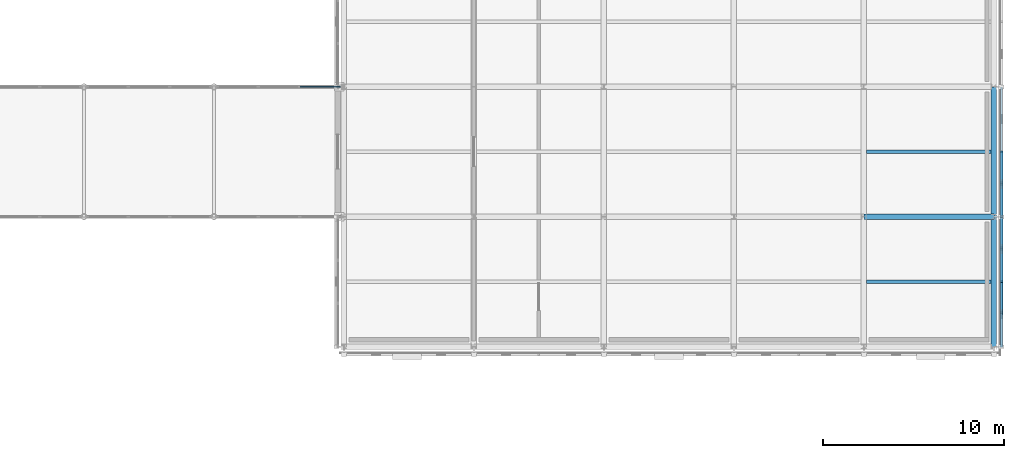
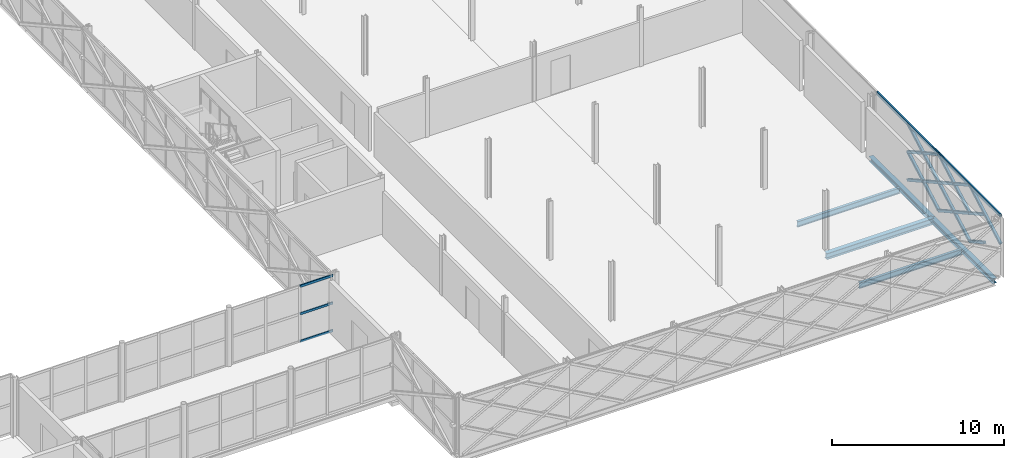
# One storey, part 69 of 146: 20 members, 5 beams, 1 element without a shape of its own.
"""IFC4 building model written with IfcOpenShell, lengths in metres."""

from ifc_helpers import new_model, si_unit, direction, frame, origin, origin_2d, place, context, subcontext, project, spatial, rectangle, hollow_rectangle, i_section, extrude, material, material_profile, profile_set, type_object, element, aggregate, save


model = new_model("IFC4")

# Units and contexts
model_context = context("Model", 3, precision=1e-05, world=origin(), true_north=direction((0.0, 1.0)))
body_context = subcontext(model_context, "Body", "Model", "MODEL_VIEW")
ifc_project = project(units=[si_unit("LENGTHUNIT", "METRE"), si_unit("AREAUNIT", "SQUARE_METRE"), si_unit("VOLUMEUNIT", "CUBIC_METRE"), si_unit("PLANEANGLEUNIT", "RADIAN"), si_unit("MASSUNIT", "GRAM", prefix="KILO")], contexts=[model_context])

# Site, building, storey
site_placement = place(None, origin())
site = spatial("IfcSite", under=ifc_project, at=site_placement, CompositionType="ELEMENT")
building_placement = place(site_placement, origin())
building = spatial("IfcBuilding", under=site, at=building_placement, Name="Zlatovets Crest Museum", CompositionType="ELEMENT")
storey_placement = place(building_placement, frame((0.0, 0.0, 4.5)))
storey = spatial("IfcBuildingStorey", under=building, at=storey_placement, Name="L01", CompositionType="ELEMENT", Elevation=4.5)

# Beams
ifc_material_1 = material(Name="Structural steel S355J2", Category="steel")
ifc_material_profile_1 = material_profile(ifc_material_1, i_section(OverallWidth=0.300048828125, OverallDepth=0.35009765625, WebThickness=0.010009765625, FlangeThickness=0.017578125, FilletRadius=0.027099609375, at=origin_2d()), Name="HEA 360")
ifc_profile_set_1 = profile_set([ifc_material_profile_1], Name="Structural steel S355J2")
beam_type_1 = type_object("IfcBeamType", Name="Beam_B-03", PredefinedType="BEAM", material=ifc_profile_set_1)
beam_1_placement = place(storey_placement, frame((165.60009765625, 14.39990234375, -0.39501953125), z_axis=(0.0, 1.0, 0.0), x_axis=(-1.0, 0.0, 0.0)))
element("IfcBeam", 1, at=beam_1_placement, inside=storey, type_object=beam_type_1, Name="V5 L01 Grid Beam B-03", PredefinedType="BEAM", context=body_context, shape_type="SweptSolid", body=[
    extrude(i_section(OverallWidth=0.300048828125, OverallDepth=0.35009765625, WebThickness=0.010009765625, FlangeThickness=0.017578125, FilletRadius=0.027099609375, at=origin_2d()), origin(), (0.0, 0.0, 1.0), 7.2001953125),
])
beam_2_placement = place(storey_placement, frame((165.60009765625, 21.60009765625, -0.39501953125), z_axis=(0.0, 1.0, 0.0), x_axis=(-1.0, 0.0, 0.0)))
element("IfcBeam", 2, at=beam_2_placement, inside=storey, type_object=beam_type_1, Name="V5 L01 Grid Beam B-03", PredefinedType="BEAM", context=body_context, shape_type="SweptSolid", body=[
    extrude(i_section(OverallWidth=0.300048828125, OverallDepth=0.35009765625, WebThickness=0.010009765625, FlangeThickness=0.017578125, FilletRadius=0.027099609375, at=origin_2d()), origin(), (0.0, 0.0, 1.0), 7.199951171875),
])
ifc_material_profile_2 = material_profile(ifc_material_1, i_section(OverallWidth=0.300048828125, OverallDepth=0.43994140625, WebThickness=0.011474609375, FlangeThickness=0.02099609375, FilletRadius=0.027099609375, at=origin_2d()), Name="HEA 450")
ifc_profile_set_2 = profile_set([ifc_material_profile_2], Name="Structural steel S355J2")
beam_type_2 = type_object("IfcBeamType", Name="Beam_B-10", PredefinedType="BEAM", material=ifc_profile_set_2)
beam_3_placement = place(storey_placement, frame((158.39990234375, 21.60009765625, -0.43994140625), z_axis=(1.0, 0.0, 0.0), x_axis=(0.0, 1.0, 0.0)))
element("IfcBeam", 3, at=beam_3_placement, inside=storey, type_object=beam_type_2, Name="V5 L01 Primary Girder B-10", PredefinedType="BEAM", context=body_context, shape_type="SweptSolid", body=[
    extrude(i_section(OverallWidth=0.300048828125, OverallDepth=0.43994140625, WebThickness=0.011474609375, FlangeThickness=0.02099609375, FilletRadius=0.027099609375, at=origin_2d()), origin(), (0.0, 0.0, 1.0), 7.2001953125),
])
ifc_material_profile_3 = material_profile(ifc_material_1, i_section(OverallWidth=0.179931640625, OverallDepth=0.39990234375, WebThickness=0.008544921875, FlangeThickness=0.013427734375, FilletRadius=0.02099609375, at=origin_2d()), Name="IPE 400")
ifc_profile_set_3 = profile_set([ifc_material_profile_3], Name="Structural steel S355J2")
beam_type_3 = type_object("IfcBeamType", Name="Beam_J-04", PredefinedType="JOIST", material=ifc_profile_set_3)
for number, where, z_axis, x_axis, name in (
    (4, (158.550048828125, 18.0, -0.419921875), (1.0, 0.0, 0.0), (0.0, 1.0, 0.0), "V5 L01 Composite Joist J-04"),
    (5, (158.550048828125, 25.199951171875, -0.419921875), (1.0, 0.0, 0.0), (0.0, 1.0, 0.0), "V5 L01 Composite Joist J-04"),
):
    element("IfcBeam", number, at=place(storey_placement, frame(where, z_axis=z_axis, x_axis=x_axis)), inside=storey, type_object=beam_type_3, Name=name, PredefinedType="JOIST", context=body_context, shape_type="SweptSolid", body=[
        extrude(i_section(OverallWidth=0.179931640625, OverallDepth=0.39990234375, WebThickness=0.008544921875, FlangeThickness=0.013427734375, FilletRadius=0.02099609375, at=origin_2d()), origin(), (0.0, 0.0, 1.0), 6.89990234375),
    ])

# Curtain wall, members
ifc_material_2 = material(Name="Bronze-anodised aluminium and low-E triple glass", Category="aluminium")
curtain_wall_type = type_object("IfcCurtainWallType", Name="CW_CW-BR4-L01-S69", PredefinedType="NOTDEFINED", material=ifc_material_2)
curtain_wall_placement = place(storey_placement, origin())
curtain_wall = element("IfcCurtainWall", 6, at=curtain_wall_placement, inside=storey, type_object=curtain_wall_type, Name="Southeast Archive Glazed Link Bridge L01 Glazed Bridge Curtain Wall", PredefinedType="NOTDEFINED")
ifc_material_3 = material(Name="Bronze-anodised aluminium EN AW-6060", Category="aluminium")
ifc_material_profile_4 = material_profile(ifc_material_3, rectangle(XDim=0.080078125, YDim=0.159912109375, at=origin_2d()), Name="ALU 80x160")
ifc_profile_set_4 = profile_set([ifc_material_profile_4], Name="Bronze-anodised aluminium EN AW-6060")
member_type_1 = type_object("IfcMemberType", Name="CWTrans_T1", PredefinedType="USERDEFINED", material=ifc_profile_set_4)
member_1_placement = place(storey_placement, frame((127.179931640625, 28.800048828125, 0.030029296875), z_axis=(1.0, 0.0, 0.0), x_axis=(0.0, 1.0, 0.0)))
member_1 = element("IfcMember", 7, at=member_1_placement, type_object=member_type_1, Name="CW-BR4-L01-S69 transom 3.1", ObjectType="TRANSOM", PredefinedType="USERDEFINED", context=body_context, shape_type="SweptSolid", body=[
    extrude(rectangle(XDim=0.080078125, YDim=0.159912109375, at=origin_2d()), origin(), (0.0, 0.0, 1.0), 2.2099609375),
])
member_2_placement = place(storey_placement, frame((127.179931640625, 28.800048828125, 1.989990234375), z_axis=(1.0, 0.0, 0.0), x_axis=(0.0, 1.0, 0.0)))
member_2 = element("IfcMember", 8, at=member_2_placement, type_object=member_type_1, Name="CW-BR4-L01-S69 transom 3.2", ObjectType="TRANSOM", PredefinedType="USERDEFINED", context=body_context, shape_type="SweptSolid", body=[
    extrude(rectangle(XDim=0.080078125, YDim=0.159912109375, at=origin_2d()), origin(), (0.0, 0.0, 1.0), 2.2099609375),
])
member_3_placement = place(storey_placement, frame((127.179931640625, 28.800048828125, 3.949951171875), z_axis=(1.0, 0.0, 0.0), x_axis=(0.0, 1.0, 0.0)))
member_3 = element("IfcMember", 9, at=member_3_placement, type_object=member_type_1, Name="CW-BR4-L01-S69 transom 3.3", ObjectType="TRANSOM", PredefinedType="USERDEFINED", context=body_context, shape_type="SweptSolid", body=[
    extrude(rectangle(XDim=0.080078125, YDim=0.159912109375, at=origin_2d()), origin(), (0.0, 0.0, 1.0), 2.2099609375),
])
aggregate(curtain_wall, [member_1, member_2, member_3])

# Members
ifc_material_4 = material(Name="Weathering bronze-steel S355J2W", Category="steel")
ifc_material_profile_5 = material_profile(ifc_material_4, hollow_rectangle(XDim=0.179931640625, YDim=0.179931640625, WallThickness=0.010009765625, InnerFilletRadius=0.010009765625, OuterFilletRadius=0.02001953125, at=origin_2d()), Name="SHS 180x180x10.0")
ifc_profile_set_5 = profile_set([ifc_material_profile_5], Name="Weathering bronze-steel S355J2W")
member_type_2 = type_object("IfcMemberType", Name="Lattice_XL-01", PredefinedType="BRACE", material=ifc_profile_set_5)
member_4_placement = place(storey_placement, frame((166.02001953125, 16.282958984375, 1.053955078125), z_axis=(0.0, 0.874169001841, -0.485621824284), x_axis=(-1.0, 0.0, 0.0)))
element("IfcMember", 10, at=member_4_placement, inside=storey, type_object=member_type_2, Name="Split Crossing Bronze Lattice Diagonal Lower", PredefinedType="BRACE", context=body_context, shape_type="SweptSolid", body=[
    extrude(hollow_rectangle(XDim=0.179931640625, YDim=0.179931640625, WallThickness=0.010009765625, InnerFilletRadius=0.010009765625, OuterFilletRadius=0.02001953125, at=origin_2d()), origin(), (0.0, 0.0, 1.0), 1.964111328125),
])
member_5_placement = place(storey_placement, frame((166.02001953125, 18.0, 0.10009765625), z_axis=(0.0, 0.874162868644, 0.485632864501), x_axis=(-1.0, 0.0, 0.0)))
element("IfcMember", 11, at=member_5_placement, inside=storey, type_object=member_type_2, Name="Continuous Bronze Lattice Diagonal", PredefinedType="BRACE", context=body_context, shape_type="SweptSolid", body=[
    extrude(hollow_rectangle(XDim=0.179931640625, YDim=0.179931640625, WallThickness=0.010009765625, InnerFilletRadius=0.010009765625, OuterFilletRadius=0.02001953125, at=origin_2d()), origin(), (0.0, 0.0, 1.0), 4.118408203125),
])
member_6_placement = place(storey_placement, frame((166.02001953125, 18.0, 2.10009765625), z_axis=(0.0, 0.874116234569, -0.48571679862), x_axis=(-1.0, 0.0, 0.0)))
element("IfcMember", 12, at=member_6_placement, inside=storey, type_object=member_type_2, Name="Split Crossing Bronze Lattice Diagonal Upper", PredefinedType="BRACE", context=body_context, shape_type="SweptSolid", body=[
    extrude(hollow_rectangle(XDim=0.179931640625, YDim=0.179931640625, WallThickness=0.010009765625, InnerFilletRadius=0.010009765625, OuterFilletRadius=0.02001953125, at=origin_2d()), origin(), (0.0, 0.0, 1.0), 1.96435546875),
])
member_7_placement = place(storey_placement, frame((166.02001953125, 19.883056640625, 1.053955078125), z_axis=(0.0, 0.874169001841, -0.485621824284), x_axis=(-1.0, 0.0, 0.0)))
element("IfcMember", 13, at=member_7_placement, inside=storey, type_object=member_type_2, Name="Split Crossing Bronze Lattice Diagonal Lower", PredefinedType="BRACE", context=body_context, shape_type="SweptSolid", body=[
    extrude(hollow_rectangle(XDim=0.179931640625, YDim=0.179931640625, WallThickness=0.010009765625, InnerFilletRadius=0.010009765625, OuterFilletRadius=0.02001953125, at=origin_2d()), origin(), (0.0, 0.0, 1.0), 1.964111328125),
])
member_8_placement = place(storey_placement, frame((166.02001953125, 14.39990234375, 2.10009765625), z_axis=(0.0, 0.874162868644, 0.485632864501), x_axis=(-1.0, 0.0, 0.0)))
element("IfcMember", 14, at=member_8_placement, inside=storey, type_object=member_type_2, Name="Continuous Bronze Lattice Diagonal", PredefinedType="BRACE", context=body_context, shape_type="SweptSolid", body=[
    extrude(hollow_rectangle(XDim=0.179931640625, YDim=0.179931640625, WallThickness=0.010009765625, InnerFilletRadius=0.010009765625, OuterFilletRadius=0.02001953125, at=origin_2d()), origin(), (0.0, 0.0, 1.0), 4.118408203125),
])
member_9_placement = place(storey_placement, frame((166.02001953125, 16.282958984375, 3.053955078125), z_axis=(0.0, 0.874169001841, -0.485621824284), x_axis=(-1.0, 0.0, 0.0)))
element("IfcMember", 15, at=member_9_placement, inside=storey, type_object=member_type_2, Name="Split Crossing Bronze Lattice Diagonal Lower", PredefinedType="BRACE", context=body_context, shape_type="SweptSolid", body=[
    extrude(hollow_rectangle(XDim=0.179931640625, YDim=0.179931640625, WallThickness=0.010009765625, InnerFilletRadius=0.010009765625, OuterFilletRadius=0.02001953125, at=origin_2d()), origin(), (0.0, 0.0, 1.0), 1.964111328125),
])
member_10_placement = place(storey_placement, frame((166.02001953125, 18.0, 2.10009765625), z_axis=(0.0, 0.874162868644, 0.485632864501), x_axis=(-1.0, 0.0, 0.0)))
element("IfcMember", 16, at=member_10_placement, inside=storey, type_object=member_type_2, Name="Continuous Bronze Lattice Diagonal", PredefinedType="BRACE", context=body_context, shape_type="SweptSolid", body=[
    extrude(hollow_rectangle(XDim=0.179931640625, YDim=0.179931640625, WallThickness=0.010009765625, InnerFilletRadius=0.010009765625, OuterFilletRadius=0.02001953125, at=origin_2d()), origin(), (0.0, 0.0, 1.0), 4.118408203125),
])
member_11_placement = place(storey_placement, frame((166.02001953125, 18.0, 4.10009765625), z_axis=(0.0, 0.874116234569, -0.48571679862), x_axis=(-1.0, 0.0, 0.0)))
element("IfcMember", 17, at=member_11_placement, inside=storey, type_object=member_type_2, Name="Split Crossing Bronze Lattice Diagonal Upper", PredefinedType="BRACE", context=body_context, shape_type="SweptSolid", body=[
    extrude(hollow_rectangle(XDim=0.179931640625, YDim=0.179931640625, WallThickness=0.010009765625, InnerFilletRadius=0.010009765625, OuterFilletRadius=0.02001953125, at=origin_2d()), origin(), (0.0, 0.0, 1.0), 1.96435546875),
])
member_12_placement = place(storey_placement, frame((166.02001953125, 19.883056640625, 3.053955078125), z_axis=(0.0, 0.874169001841, -0.485621824284), x_axis=(-1.0, 0.0, 0.0)))
element("IfcMember", 18, at=member_12_placement, inside=storey, type_object=member_type_2, Name="Split Crossing Bronze Lattice Diagonal Lower", PredefinedType="BRACE", context=body_context, shape_type="SweptSolid", body=[
    extrude(hollow_rectangle(XDim=0.179931640625, YDim=0.179931640625, WallThickness=0.010009765625, InnerFilletRadius=0.010009765625, OuterFilletRadius=0.02001953125, at=origin_2d()), origin(), (0.0, 0.0, 1.0), 1.964111328125),
])
member_13_placement = place(storey_placement, frame((166.02001953125, 21.60009765625, 0.10009765625), z_axis=(0.0, 0.874148886685, 0.485658031857), x_axis=(-1.0, 0.0, 0.0)))
element("IfcMember", 19, at=member_13_placement, inside=storey, type_object=member_type_2, Name="Continuous Bronze Lattice Diagonal", PredefinedType="BRACE", context=body_context, shape_type="SweptSolid", body=[
    extrude(hollow_rectangle(XDim=0.179931640625, YDim=0.179931640625, WallThickness=0.010009765625, InnerFilletRadius=0.010009765625, OuterFilletRadius=0.02001953125, at=origin_2d()), origin(), (0.0, 0.0, 1.0), 4.1181640625),
])
for number, where, z_axis, x_axis, name in (
    (20, (166.02001953125, 21.60009765625, 2.10009765625), (0.0, 0.874086907708, -0.485769572713), (-1.0, 0.0, 0.0), "Split Crossing Bronze Lattice Diagonal Upper"),
    (21, (166.02001953125, 23.48291015625, 1.053955078125), (0.0, 0.874169001841, -0.485621824284), (-1.0, 0.0, 0.0), "Split Crossing Bronze Lattice Diagonal Lower"),
):
    element("IfcMember", number, at=place(storey_placement, frame(where, z_axis=z_axis, x_axis=x_axis)), inside=storey, type_object=member_type_2, Name=name, PredefinedType="BRACE", context=body_context, shape_type="SweptSolid", body=[
        extrude(hollow_rectangle(XDim=0.179931640625, YDim=0.179931640625, WallThickness=0.010009765625, InnerFilletRadius=0.010009765625, OuterFilletRadius=0.02001953125, at=origin_2d()), origin(), (0.0, 0.0, 1.0), 1.964111328125),
    ])
member_14_placement = place(storey_placement, frame((166.02001953125, 21.60009765625, 2.10009765625), z_axis=(0.0, 0.874148886685, 0.485658031857), x_axis=(-1.0, 0.0, 0.0)))
element("IfcMember", 22, at=member_14_placement, inside=storey, type_object=member_type_2, Name="Continuous Bronze Lattice Diagonal", PredefinedType="BRACE", context=body_context, shape_type="SweptSolid", body=[
    extrude(hollow_rectangle(XDim=0.179931640625, YDim=0.179931640625, WallThickness=0.010009765625, InnerFilletRadius=0.010009765625, OuterFilletRadius=0.02001953125, at=origin_2d()), origin(), (0.0, 0.0, 1.0), 4.1181640625),
])
for number, where, z_axis, x_axis, name in (
    (23, (166.02001953125, 21.60009765625, 4.10009765625), (0.0, 0.874086907708, -0.485769572713), (-1.0, 0.0, 0.0), "Split Crossing Bronze Lattice Diagonal Upper"),
    (24, (166.02001953125, 23.48291015625, 3.053955078125), (0.0, 0.874169001841, -0.485621824284), (-1.0, 0.0, 0.0), "Split Crossing Bronze Lattice Diagonal Lower"),
):
    element("IfcMember", number, at=place(storey_placement, frame(where, z_axis=z_axis, x_axis=x_axis)), inside=storey, type_object=member_type_2, Name=name, PredefinedType="BRACE", context=body_context, shape_type="SweptSolid", body=[
        extrude(hollow_rectangle(XDim=0.179931640625, YDim=0.179931640625, WallThickness=0.010009765625, InnerFilletRadius=0.010009765625, OuterFilletRadius=0.02001953125, at=origin_2d()), origin(), (0.0, 0.0, 1.0), 1.964111328125),
    ])
ifc_material_profile_6 = material_profile(ifc_material_4, hollow_rectangle(XDim=0.1201171875, YDim=0.239990234375, WallThickness=0.010009765625, InnerFilletRadius=0.010009765625, OuterFilletRadius=0.02001953125, at=origin_2d()), Name="RHS 120x240x10.0")
ifc_profile_set_6 = profile_set([ifc_material_profile_6], Name="Weathering bronze-steel S355J2W")
member_type_3 = type_object("IfcMemberType", Name="Lattice_XL-04", PredefinedType="CHORD", material=ifc_profile_set_6)
member_15_placement = place(storey_placement, frame((166.02001953125, 14.39990234375, 4.10009765625), z_axis=(0.0, 1.0, 0.0), x_axis=(-1.0, 0.0, 0.0)))
element("IfcMember", 25, at=member_15_placement, inside=storey, type_object=member_type_3, Name="Art Nouveau Woven Cage Collector Ring Chord", PredefinedType="CHORD", context=body_context, shape_type="SweptSolid", body=[
    extrude(hollow_rectangle(XDim=0.1201171875, YDim=0.239990234375, WallThickness=0.010009765625, InnerFilletRadius=0.010009765625, OuterFilletRadius=0.02001953125, at=origin_2d()), origin(), (0.0, 0.0, 1.0), 7.2001953125),
])
member_16_placement = place(storey_placement, frame((166.02001953125, 21.60009765625, 4.10009765625), z_axis=(0.0, 1.0, 0.0), x_axis=(-1.0, 0.0, 0.0)))
element("IfcMember", 26, at=member_16_placement, inside=storey, type_object=member_type_3, Name="Art Nouveau Woven Cage Collector Ring Chord", PredefinedType="CHORD", context=body_context, shape_type="SweptSolid", body=[
    extrude(hollow_rectangle(XDim=0.1201171875, YDim=0.239990234375, WallThickness=0.010009765625, InnerFilletRadius=0.010009765625, OuterFilletRadius=0.02001953125, at=origin_2d()), origin(), (0.0, 0.0, 1.0), 7.199951171875),
])

save(model, "model.ifc")
